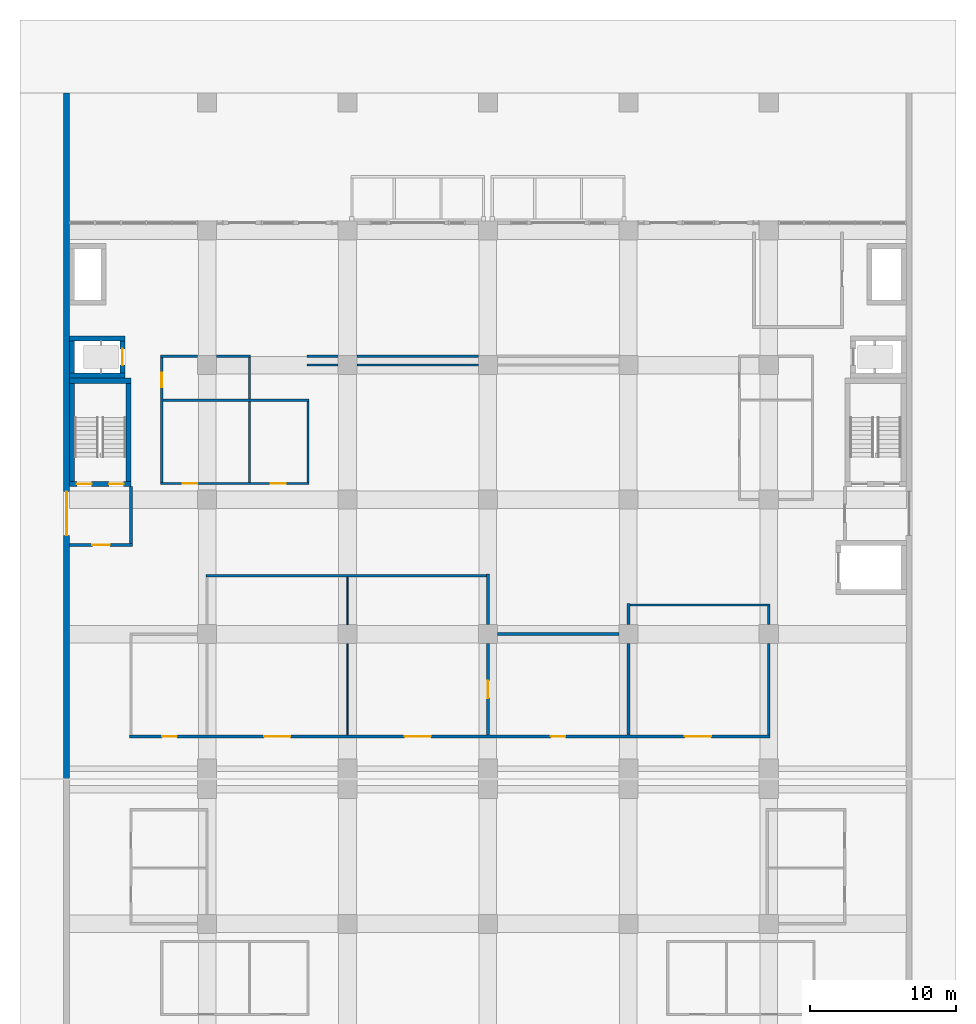
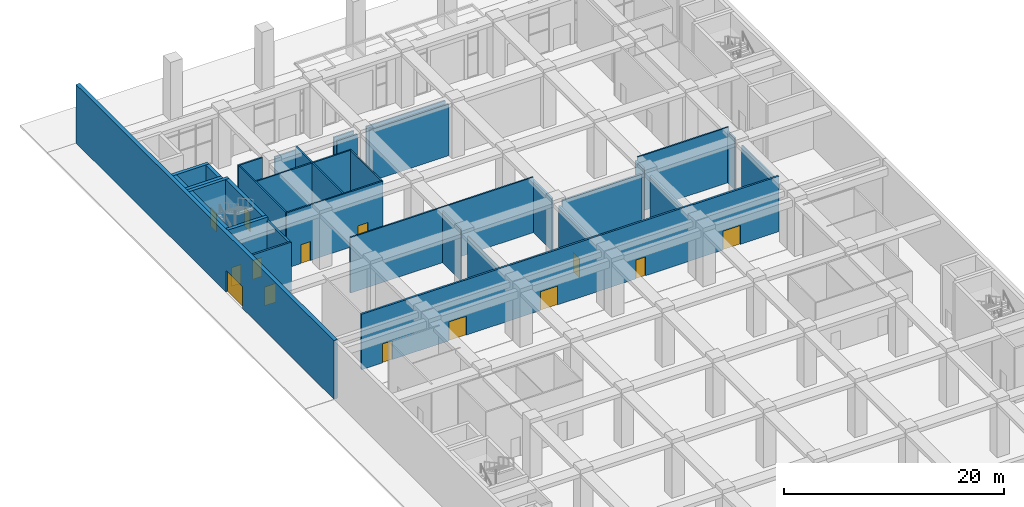
# One storey, part 21 of 45: 35 walls, 14 doors, 14 openings.
"""IFC4 building model written with IfcOpenShell, lengths in metres."""

from ifc_helpers import new_model, si_unit, direction, frame, frame_2d, origin, place, context, subcontext, project, spatial, rectangle, extrude, material, layer, layer_set, type_object, element, fill, save


model = new_model("IFC4")

# Units and contexts
model_context = context("Model", 3, precision=1e-05, world=origin(), true_north=direction((0.0, 1.0)))
body_context = subcontext(model_context, "Body", "Model", "MODEL_VIEW")
ifc_project = project(units=[si_unit("LENGTHUNIT", "METRE"), si_unit("AREAUNIT", "SQUARE_METRE"), si_unit("VOLUMEUNIT", "CUBIC_METRE"), si_unit("PLANEANGLEUNIT", "RADIAN"), si_unit("MASSUNIT", "GRAM", prefix="KILO")], contexts=[model_context])

# Site, building, storey
site_placement = place(None, origin())
site = spatial("IfcSite", under=ifc_project, at=site_placement, CompositionType="ELEMENT")
building_placement = place(site_placement, origin())
building = spatial("IfcBuilding", under=site, at=building_placement, Name="Nzadi Deep Aquarium and Research Tower", CompositionType="ELEMENT")
storey_placement = place(building_placement, origin())
storey = spatial("IfcBuildingStorey", under=building, at=storey_placement, Name="G", CompositionType="ELEMENT", Elevation=0.0)

# Walls
ifc_material_1 = material(Name="Blockwork masonry", Category="masonry")
ifc_layer_1 = layer(ifc_material_1, 0.10009765625)
ifc_layer_set_1 = layer_set([ifc_layer_1], Name="Blockwork masonry")
wall_type_1 = type_object("IfcWallType", Name="Partition 100 EI 30, 5.75 m high", PredefinedType="PARTITIONING", material=ifc_layer_set_1)
wall_1_placement = place(storey_placement, frame((19.199951171875, 97.10009765625, 0.0), z_axis=(0.0, 0.0, 1.0), x_axis=(0.0, 1.0, 0.0)))
element("IfcWall", 1, at=wall_1_placement, inside=storey, type_object=wall_type_1, Name="W-Z3-G-P019", PredefinedType="PARTITIONING", context=body_context, shape_type="SweptSolid", body=[
    extrude(rectangle(XDim=6.25, YDim=0.10009765625, at=frame_2d((3.125, 0.0))), origin(), (0.0, 0.0, 1.0), 5.75),
])
wall_2_placement = place(storey_placement, frame((19.199951171875, 104.64990234375, 0.0), z_axis=(0.0, 0.0, 1.0), x_axis=(0.0, 1.0, 0.0)))
element("IfcWall", 2, at=wall_2_placement, inside=storey, type_object=wall_type_1, Name="W-Z3-G-P020", PredefinedType="PARTITIONING", context=body_context, shape_type="SweptSolid", body=[
    extrude(rectangle(XDim=3.275146484375, YDim=0.10009765625, at=frame_2d((1.6376953125, 0.0))), origin(), (0.0, 0.0, 1.0), 5.75),
])

# Wall, openings, doors
ifc_material_2 = material(Name="Blockwork masonry", Category="masonry")
ifc_layer_2 = layer(ifc_material_2, 0.14990234375)
ifc_layer_set_2 = layer_set([ifc_layer_2], Name="Blockwork masonry")
wall_type_2 = type_object("IfcWallType", Name="Partition 150 EI 60", PredefinedType="PARTITIONING", material=ifc_layer_set_2)
wall_3_placement = place(storey_placement, frame((6.425048828125, 114.300048828125, 0.0), z_axis=(0.0, 0.0, 1.0), x_axis=(1.0, 0.0, 0.0)))
wall_3 = element("IfcWall", 3, at=wall_3_placement, inside=storey, type_object=wall_type_2, Name="W-Z3-G-P006", PredefinedType="PARTITIONING", context=body_context, shape_type="SweptSolid", body=[
    extrude(rectangle(XDim=10.14990234375, YDim=0.14990234375, at=frame_2d((5.074951171875, 0.0))), origin(), (0.0, 0.0, 1.0), 6.14990234375),
])
opening_1_placement = place(wall_3_placement, frame((1.510009765625, 0.0, 0.0)))
opening_1 = element("IfcOpeningElement", 4, at=opening_1_placement, cuts=wall_3, Name="Opening D013007", PredefinedType="OPENING", context=body_context, shape_type="SweptSolid", body=[
    extrude(rectangle(XDim=1.0, YDim=2.10009765625, at=frame_2d((0.5, 1.050048828125))), frame((0.0, 0.0849609375, 0.0), z_axis=(0.0, -1.0, 0.0), x_axis=(1.0, 0.0, 0.0)), (0.0, 0.0, 1.0), 0.169921875),
])
opening_2_placement = place(wall_3_placement, frame((7.5400390625, 0.0, 0.0)))
opening_2 = element("IfcOpeningElement", 5, at=opening_2_placement, cuts=wall_3, Name="Opening D013008", PredefinedType="OPENING", context=body_context, shape_type="SweptSolid", body=[
    extrude(rectangle(XDim=1.0, YDim=2.10009765625, at=frame_2d((0.5, 1.050048828125))), frame((0.0, 0.0849609375, 0.0), z_axis=(0.0, -1.0, 0.0), x_axis=(1.0, 0.0, 0.0)), (0.0, 0.0, 1.0), 0.169921875),
])
ifc_material_3 = material(Name="Fire-rated steel door", Category="steel")
ifc_layer_3 = layer(ifc_material_3, 0.050048828125)
ifc_layer_set_3 = layer_set([ifc_layer_3], Name="Fire-rated steel door")
door_type_1 = type_object("IfcDoorType", Name="Door 1000x2100 EI 60 single", OperationType="SINGLE_SWING_LEFT", PredefinedType="DOOR", material=ifc_layer_set_3)
door_1_placement = place(opening_1_placement, origin())
door_1 = element("IfcDoor", 6, at=door_1_placement, inside=storey, type_object=door_type_1, Name="D013007", OperationType="SINGLE_SWING_LEFT", OverallHeight=2.10009765625, OverallWidth=1.0, PredefinedType="DOOR", context=body_context, shape_type="SweptSolid", body=[
    extrude(rectangle(XDim=1.0, YDim=2.10009765625, at=frame_2d((0.5, 1.050048828125))), frame((0.0, 0.02490234375, 0.0), z_axis=(0.0, -1.0, 0.0), x_axis=(1.0, 0.0, 0.0)), (0.0, 0.0, 1.0), 0.050048828125),
])
fill(opening_1, door_1)
door_2_placement = place(opening_2_placement, origin())
door_2 = element("IfcDoor", 7, at=door_2_placement, inside=storey, type_object=door_type_1, Name="D013008", OperationType="SINGLE_SWING_RIGHT", OverallHeight=2.10009765625, OverallWidth=1.0, PredefinedType="DOOR", context=body_context, shape_type="SweptSolid", body=[
    extrude(rectangle(XDim=1.0, YDim=2.10009765625, at=frame_2d((0.5, 1.050048828125))), frame((0.0, 0.02490234375, 0.0), z_axis=(0.0, -1.0, 0.0), x_axis=(1.0, 0.0, 0.0)), (0.0, 0.0, 1.0), 0.050048828125),
])
fill(opening_2, door_2)

# Wall, opening, door
wall_4_placement = place(storey_placement, frame((6.5, 114.375, 0.0), z_axis=(0.0, 0.0, 1.0), x_axis=(0.0, 1.0, 0.0)))
wall_4 = element("IfcWall", 8, at=wall_4_placement, inside=storey, type_object=wall_type_2, Name="W-Z3-G-P007", PredefinedType="PARTITIONING", context=body_context, shape_type="SweptSolid", body=[
    extrude(rectangle(XDim=8.550048828125, YDim=0.14990234375, at=frame_2d((4.27490234375, 0.0))), origin(), (0.0, 0.0, 1.0), 6.14990234375),
])
opening_3_placement = place(wall_4_placement, frame((6.514892578125, 0.0, 0.0)))
opening_3 = element("IfcOpeningElement", 9, at=opening_3_placement, cuts=wall_4, Name="Opening D013010", PredefinedType="OPENING", context=body_context, shape_type="SweptSolid", body=[
    extrude(rectangle(XDim=1.0, YDim=2.10009765625, at=frame_2d((0.5, 1.050048828125))), frame((0.0, 0.0849609375, 0.0), z_axis=(0.0, -1.0, 0.0), x_axis=(1.0, 0.0, 0.0)), (0.0, 0.0, 1.0), 0.169921875),
])
door_3_placement = place(opening_3_placement, origin())
door_3 = element("IfcDoor", 10, at=door_3_placement, inside=storey, type_object=door_type_1, Name="D013010", OperationType="SINGLE_SWING_LEFT", OverallHeight=2.10009765625, OverallWidth=1.0, PredefinedType="DOOR", context=body_context, shape_type="SweptSolid", body=[
    extrude(rectangle(XDim=1.0, YDim=2.10009765625, at=frame_2d((0.5, 1.050048828125))), frame((0.0, 0.02490234375, 0.0), z_axis=(0.0, -1.0, 0.0), x_axis=(1.0, 0.0, 0.0)), (0.0, 0.0, 1.0), 0.050048828125),
])
fill(opening_3, door_3)

# Walls
wall_5_placement = place(storey_placement, frame((6.425048828125, 123.0, 0.0), z_axis=(0.0, 0.0, 1.0), x_axis=(1.0, 0.0, 0.0)))
element("IfcWall", 11, at=wall_5_placement, inside=storey, type_object=wall_type_2, Name="W-Z3-G-P008", PredefinedType="PARTITIONING", context=body_context, shape_type="SweptSolid", body=[
    extrude(rectangle(XDim=2.52490234375, YDim=0.14990234375, at=frame_2d((1.262451171875, 0.0))), origin(), (0.0, 0.0, 1.0), 6.14990234375),
])
wall_6_placement = place(storey_placement, frame((6.574951171875, 120.0, 0.0), z_axis=(0.0, 0.0, 1.0), x_axis=(1.0, 0.0, 0.0)))
element("IfcWall", 12, at=wall_6_placement, inside=storey, type_object=wall_type_2, Name="W-Z3-G-P009", PredefinedType="PARTITIONING", context=body_context, shape_type="SweptSolid", body=[
    extrude(rectangle(XDim=10.0, YDim=0.14990234375, at=frame_2d((5.0, 0.0))), origin(), (0.0, 0.0, 1.0), 6.14990234375),
])
wall_7_placement = place(storey_placement, frame((9.52490234375, 108.0, 0.0), z_axis=(0.0, 0.0, 1.0), x_axis=(1.0, 0.0, 0.0)))
element("IfcWall", 13, at=wall_7_placement, inside=storey, type_object=wall_type_2, Name="W-Z3-G-P012", PredefinedType="PARTITIONING", context=body_context, shape_type="SweptSolid", body=[
    extrude(rectangle(XDim=19.175048828125, YDim=0.14990234375, at=frame_2d((9.58740234375, 0.0))), origin(), (0.0, 0.0, 1.0), 6.14990234375),
])
wall_8_placement = place(storey_placement, frame((12.5, 114.375, 0.0), z_axis=(0.0, 0.0, 1.0), x_axis=(0.0, 1.0, 0.0)))
element("IfcWall", 14, at=wall_8_placement, inside=storey, type_object=wall_type_2, Name="W-Z3-G-P014", PredefinedType="PARTITIONING", context=body_context, shape_type="SweptSolid", body=[
    extrude(rectangle(XDim=5.550048828125, YDim=0.14990234375, at=frame_2d((2.77490234375, 0.0))), origin(), (0.0, 0.0, 1.0), 6.14990234375),
])
wall_9_placement = place(storey_placement, frame((12.5, 120.074951171875, 0.0), z_axis=(0.0, 0.0, 1.0), x_axis=(0.0, 1.0, 0.0)))
element("IfcWall", 15, at=wall_9_placement, inside=storey, type_object=wall_type_2, Name="W-Z3-G-P015", PredefinedType="PARTITIONING", context=body_context, shape_type="SweptSolid", body=[
    extrude(rectangle(XDim=2.85009765625, YDim=0.14990234375, at=frame_2d((1.425048828125, 0.0))), origin(), (0.0, 0.0, 1.0), 6.14990234375),
])
wall_10_placement = place(storey_placement, frame((16.5, 114.375, 0.0), z_axis=(0.0, 0.0, 1.0), x_axis=(0.0, 1.0, 0.0)))
element("IfcWall", 16, at=wall_10_placement, inside=storey, type_object=wall_type_2, Name="W-Z3-G-P016", PredefinedType="PARTITIONING", context=body_context, shape_type="SweptSolid", body=[
    extrude(rectangle(XDim=5.550048828125, YDim=0.14990234375, at=frame_2d((2.77490234375, 0.0))), origin(), (0.0, 0.0, 1.0), 6.14990234375),
])
wall_11_placement = place(storey_placement, frame((38.5, 106.0, 0.0), z_axis=(0.0, 0.0, 1.0), x_axis=(1.0, 0.0, 0.0)))
element("IfcWall", 17, at=wall_11_placement, inside=storey, type_object=wall_type_2, Name="W-Z3-G-P030", PredefinedType="PARTITIONING", context=body_context, shape_type="SweptSolid", body=[
    extrude(rectangle(XDim=9.574951171875, YDim=0.14990234375, at=frame_2d((4.78759765625, 0.0))), origin(), (0.0, 0.0, 1.0), 6.14990234375),
])
ifc_material_4 = material(Name="Blockwork masonry", Category="masonry")
ifc_layer_4 = layer(ifc_material_4, 0.14990234375)
ifc_layer_set_4 = layer_set([ifc_layer_4], Name="Blockwork masonry")
wall_type_3 = type_object("IfcWallType", Name="Partition 150 EI 60, 5.75 m high", PredefinedType="PARTITIONING", material=ifc_layer_set_4)
wall_12_placement = place(storey_placement, frame((10.25, 123.0, 0.0), z_axis=(0.0, 0.0, 1.0), x_axis=(1.0, 0.0, 0.0)))
element("IfcWall", 18, at=wall_12_placement, inside=storey, type_object=wall_type_3, Name="W-Z3-G-P013", PredefinedType="PARTITIONING", context=body_context, shape_type="SweptSolid", body=[
    extrude(rectangle(XDim=2.324951171875, YDim=0.14990234375, at=frame_2d((1.16259765625, 0.0))), origin(), (0.0, 0.0, 1.0), 5.75),
])
for number, where, z_axis, x_axis, name in (
    (19, (16.425048828125, 122.39990234375, 0.0), (0.0, 0.0, 1.0), (1.0, 0.0, 0.0), "W-Z3-G-P017"),
    (20, (16.425048828125, 123.0, 0.0), (0.0, 0.0, 1.0), (1.0, 0.0, 0.0), "W-Z3-G-P018"),
):
    element("IfcWall", number, at=place(storey_placement, frame(where, z_axis=z_axis, x_axis=x_axis)), inside=storey, type_object=wall_type_3, Name=name, PredefinedType="PARTITIONING", context=body_context, shape_type="SweptSolid", body=[
        extrude(rectangle(XDim=2.125, YDim=0.14990234375, at=frame_2d((1.0625, 0.0))), origin(), (0.0, 0.0, 1.0), 5.75),
    ])
for number, where, z_axis, x_axis, name in (
    (21, (19.85009765625, 122.39990234375, 0.0), (0.0, 0.0, 1.0), (1.0, 0.0, 0.0), "W-Z3-G-P021"),
    (22, (19.85009765625, 123.0, 0.0), (0.0, 0.0, 1.0), (1.0, 0.0, 0.0), "W-Z3-G-P022"),
):
    element("IfcWall", number, at=place(storey_placement, frame(where, z_axis=z_axis, x_axis=x_axis)), inside=storey, type_object=wall_type_3, Name=name, PredefinedType="PARTITIONING", context=body_context, shape_type="SweptSolid", body=[
        extrude(rectangle(XDim=8.2998046875, YDim=0.14990234375, at=frame_2d((4.14990234375, 0.0))), origin(), (0.0, 0.0, 1.0), 5.75),
    ])
wall_13_placement = place(storey_placement, frame((48.0, 97.10009765625, 0.0), z_axis=(0.0, 0.0, 1.0), x_axis=(0.0, 1.0, 0.0)))
element("IfcWall", 23, at=wall_13_placement, inside=storey, type_object=wall_type_3, Name="W-Z3-G-P037", PredefinedType="PARTITIONING", context=body_context, shape_type="SweptSolid", body=[
    extrude(rectangle(XDim=6.25, YDim=0.14990234375, at=frame_2d((3.125, 0.0))), origin(), (0.0, 0.0, 1.0), 5.75),
])
wall_14_placement = place(storey_placement, frame((48.0, 104.64990234375, 0.0), z_axis=(0.0, 0.0, 1.0), x_axis=(0.0, 1.0, 0.0)))
element("IfcWall", 24, at=wall_14_placement, inside=storey, type_object=wall_type_3, Name="W-Z3-G-P038", PredefinedType="PARTITIONING", context=body_context, shape_type="SweptSolid", body=[
    extrude(rectangle(XDim=1.275146484375, YDim=0.14990234375, at=frame_2d((0.6376953125, 0.0))), origin(), (0.0, 0.0, 1.0), 5.75),
])

# Wall, opening, door
ifc_material_5 = material(Name="Blockwork masonry", Category="masonry")
ifc_layer_5 = layer(ifc_material_5, 0.199951171875)
ifc_layer_set_5 = layer_set([ifc_layer_5], Name="Blockwork masonry")
wall_type_4 = type_object("IfcWallType", Name="Partition 200 EI 120", PredefinedType="PARTITIONING", material=ifc_layer_set_5)
wall_15_placement = place(storey_placement, frame((0.2060546875, 110.10009765625, 0.0), z_axis=(0.0, 0.0, 1.0), x_axis=(1.0, 0.0, 0.0)))
wall_15 = element("IfcWall", 25, at=wall_15_placement, inside=storey, type_object=wall_type_4, Name="W-Z3-G-P001", PredefinedType="PARTITIONING", context=body_context, shape_type="SweptSolid", body=[
    extrude(rectangle(XDim=4.2939453125, YDim=0.199951171875, at=frame_2d((2.14697265625, 0.0))), origin(), (0.0, 0.0, 1.0), 6.14990234375),
])
opening_4_placement = place(wall_15_placement, frame((1.547119140625, 0.0, 0.0)))
opening_4 = element("IfcOpeningElement", 26, at=opening_4_placement, cuts=wall_15, Name="Opening D013013", PredefinedType="OPENING", context=body_context, shape_type="SweptSolid", body=[
    extrude(rectangle(XDim=1.199951171875, YDim=2.10009765625, at=frame_2d((0.60009765625, 1.050048828125))), frame((0.0, 0.110107421875, 0.0), z_axis=(0.0, -1.0, 0.0), x_axis=(1.0, 0.0, 0.0)), (0.0, 0.0, 1.0), 0.22021484375),
])
ifc_material_6 = material(Name="Fire-rated steel door", Category="steel")
ifc_layer_6 = layer(ifc_material_6, 0.050048828125)
ifc_layer_set_6 = layer_set([ifc_layer_6], Name="Fire-rated steel door")
door_type_2 = type_object("IfcDoorType", Name="Door 1200x2100 EI 120 single", OperationType="SINGLE_SWING_LEFT", PredefinedType="DOOR", material=ifc_layer_set_6)
door_4_placement = place(opening_4_placement, origin())
door_4 = element("IfcDoor", 27, at=door_4_placement, inside=storey, type_object=door_type_2, Name="D013013", OperationType="SINGLE_SWING_RIGHT", OverallHeight=2.10009765625, OverallWidth=1.199951171875, PredefinedType="DOOR", context=body_context, shape_type="SweptSolid", body=[
    extrude(rectangle(XDim=1.199951171875, YDim=2.10009765625, at=frame_2d((0.60009765625, 1.050048828125))), frame((0.0, 0.02490234375, 0.0), z_axis=(0.0, -1.0, 0.0), x_axis=(1.0, 0.0, 0.0)), (0.0, 0.0, 1.0), 0.050048828125),
])
fill(opening_4, door_4)

# Wall, openings, doors
wall_16_placement = place(storey_placement, frame((4.300048828125, 97.0, 0.0), z_axis=(0.0, 0.0, 1.0), x_axis=(1.0, 0.0, 0.0)))
wall_16 = element("IfcWall", 28, at=wall_16_placement, inside=storey, type_object=wall_type_4, Name="W-Z3-G-P002", PredefinedType="PARTITIONING", context=body_context, shape_type="SweptSolid", body=[
    extrude(rectangle(XDim=43.800048828125, YDim=0.199951171875, at=frame_2d((21.89990234375, 0.0))), origin(), (0.0, 0.0, 1.0), 6.14990234375),
])
opening_5_placement = place(wall_16_placement, frame((28.800048828125, 0.0, 0.0)))
opening_5 = element("IfcOpeningElement", 29, at=opening_5_placement, cuts=wall_16, Name="Opening D013002", PredefinedType="OPENING", context=body_context, shape_type="SweptSolid", body=[
    extrude(rectangle(XDim=1.0, YDim=2.10009765625, at=frame_2d((0.5, 1.050048828125))), frame((0.0, 0.110107421875, 0.0), z_axis=(0.0, -1.0, 0.0), x_axis=(1.0, 0.0, 0.0)), (0.0, 0.0, 1.0), 0.22021484375),
])
opening_6_placement = place(wall_16_placement, frame((2.235107421875, 0.0, 0.0)))
opening_6 = element("IfcOpeningElement", 30, at=opening_6_placement, cuts=wall_16, Name="Opening D013003", PredefinedType="OPENING", context=body_context, shape_type="SweptSolid", body=[
    extrude(rectangle(XDim=1.0, YDim=2.10009765625, at=frame_2d((0.5, 1.050048828125))), frame((0.0, 0.110107421875, 0.0), z_axis=(0.0, -1.0, 0.0), x_axis=(1.0, 0.0, 0.0)), (0.0, 0.0, 1.0), 0.22021484375),
])
opening_7_placement = place(wall_16_placement, frame((9.199951171875, 0.0, 0.0)))
opening_7 = element("IfcOpeningElement", 31, at=opening_7_placement, cuts=wall_16, Name="Opening D013004", PredefinedType="OPENING", context=body_context, shape_type="SweptSolid", body=[
    extrude(rectangle(XDim=1.800048828125, YDim=2.10009765625, at=frame_2d((0.89990234375, 1.050048828125))), frame((0.0, 0.110107421875, 0.0), z_axis=(0.0, -1.0, 0.0), x_axis=(1.0, 0.0, 0.0)), (0.0, 0.0, 1.0), 0.22021484375),
])
opening_8_placement = place(wall_16_placement, frame((18.800048828125, 0.0, 0.0)))
opening_8 = element("IfcOpeningElement", 32, at=opening_8_placement, cuts=wall_16, Name="Opening D013005", PredefinedType="OPENING", context=body_context, shape_type="SweptSolid", body=[
    extrude(rectangle(XDim=1.800048828125, YDim=2.10009765625, at=frame_2d((0.89990234375, 1.050048828125))), frame((0.0, 0.110107421875, 0.0), z_axis=(0.0, -1.0, 0.0), x_axis=(1.0, 0.0, 0.0)), (0.0, 0.0, 1.0), 0.22021484375),
])
opening_9_placement = place(wall_16_placement, frame((37.965087890625, 0.0, 0.0)))
opening_9 = element("IfcOpeningElement", 33, at=opening_9_placement, cuts=wall_16, Name="Opening D013006", PredefinedType="OPENING", context=body_context, shape_type="SweptSolid", body=[
    extrude(rectangle(XDim=1.800048828125, YDim=2.10009765625, at=frame_2d((0.89990234375, 1.050048828125))), frame((0.0, 0.110107421875, 0.0), z_axis=(0.0, -1.0, 0.0), x_axis=(1.0, 0.0, 0.0)), (0.0, 0.0, 1.0), 0.22021484375),
])
ifc_material_7 = material(Name="Fire-rated steel door", Category="steel")
ifc_layer_7 = layer(ifc_material_7, 0.050048828125)
ifc_layer_set_7 = layer_set([ifc_layer_7], Name="Fire-rated steel door")
door_type_3 = type_object("IfcDoorType", Name="Door 1000x2100 EI 120 single", OperationType="SINGLE_SWING_LEFT", PredefinedType="DOOR", material=ifc_layer_set_7)
door_5_placement = place(opening_5_placement, origin())
door_5 = element("IfcDoor", 34, at=door_5_placement, inside=storey, type_object=door_type_3, Name="D013002", OperationType="SINGLE_SWING_RIGHT", OverallHeight=2.10009765625, OverallWidth=1.0, PredefinedType="DOOR", context=body_context, shape_type="SweptSolid", body=[
    extrude(rectangle(XDim=1.0, YDim=2.10009765625, at=frame_2d((0.5, 1.050048828125))), frame((0.0, 0.02490234375, 0.0), z_axis=(0.0, -1.0, 0.0), x_axis=(1.0, 0.0, 0.0)), (0.0, 0.0, 1.0), 0.050048828125),
])
fill(opening_5, door_5)
door_6_placement = place(opening_6_placement, origin())
door_6 = element("IfcDoor", 35, at=door_6_placement, inside=storey, type_object=door_type_3, Name="D013003", OperationType="SINGLE_SWING_LEFT", OverallHeight=2.10009765625, OverallWidth=1.0, PredefinedType="DOOR", context=body_context, shape_type="SweptSolid", body=[
    extrude(rectangle(XDim=1.0, YDim=2.10009765625, at=frame_2d((0.5, 1.050048828125))), frame((0.0, 0.02490234375, 0.0), z_axis=(0.0, -1.0, 0.0), x_axis=(1.0, 0.0, 0.0)), (0.0, 0.0, 1.0), 0.050048828125),
])
fill(opening_6, door_6)
ifc_material_8 = material(Name="Fire-rated steel door", Category="steel")
ifc_layer_8 = layer(ifc_material_8, 0.050048828125)
ifc_layer_set_8 = layer_set([ifc_layer_8], Name="Fire-rated steel door")
door_type_4 = type_object("IfcDoorType", Name="Door 1800x2100 EI 120 double", OperationType="DOUBLE_DOOR_SINGLE_SWING", PredefinedType="DOOR", material=ifc_layer_set_8)
door_7_placement = place(opening_7_placement, origin())
door_7 = element("IfcDoor", 36, at=door_7_placement, inside=storey, type_object=door_type_4, Name="D013004", OperationType="DOUBLE_DOOR_SINGLE_SWING", OverallHeight=2.10009765625, OverallWidth=1.800048828125, PredefinedType="DOOR", context=body_context, shape_type="SweptSolid", body=[
    extrude(rectangle(XDim=1.800048828125, YDim=2.10009765625, at=frame_2d((0.89990234375, 1.050048828125))), frame((0.0, 0.02490234375, 0.0), z_axis=(0.0, -1.0, 0.0), x_axis=(1.0, 0.0, 0.0)), (0.0, 0.0, 1.0), 0.050048828125),
])
fill(opening_7, door_7)
door_8_placement = place(opening_8_placement, origin())
door_8 = element("IfcDoor", 37, at=door_8_placement, inside=storey, type_object=door_type_4, Name="D013005", OperationType="DOUBLE_DOOR_SINGLE_SWING", OverallHeight=2.10009765625, OverallWidth=1.800048828125, PredefinedType="DOOR", context=body_context, shape_type="SweptSolid", body=[
    extrude(rectangle(XDim=1.800048828125, YDim=2.10009765625, at=frame_2d((0.89990234375, 1.050048828125))), frame((0.0, 0.02490234375, 0.0), z_axis=(0.0, -1.0, 0.0), x_axis=(1.0, 0.0, 0.0)), (0.0, 0.0, 1.0), 0.050048828125),
])
fill(opening_8, door_8)
door_9_placement = place(opening_9_placement, origin())
door_9 = element("IfcDoor", 38, at=door_9_placement, inside=storey, type_object=door_type_4, Name="D013006", OperationType="DOUBLE_DOOR_SINGLE_SWING", OverallHeight=2.10009765625, OverallWidth=1.800048828125, PredefinedType="DOOR", context=body_context, shape_type="SweptSolid", body=[
    extrude(rectangle(XDim=1.800048828125, YDim=2.10009765625, at=frame_2d((0.89990234375, 1.050048828125))), frame((0.0, 0.02490234375, 0.0), z_axis=(0.0, -1.0, 0.0), x_axis=(1.0, 0.0, 0.0)), (0.0, 0.0, 1.0), 0.050048828125),
])
fill(opening_9, door_9)

# Wall
wall_17_placement = place(storey_placement, frame((4.39990234375, 110.199951171875, 0.0), z_axis=(0.0, 0.0, 1.0), x_axis=(0.0, 1.0, 0.0)))
element("IfcWall", 39, at=wall_17_placement, inside=storey, type_object=wall_type_4, Name="W-Z3-G-P003", PredefinedType="PARTITIONING", context=body_context, shape_type="SweptSolid", body=[
    extrude(rectangle(XDim=3.89404296875, YDim=0.199951171875, at=frame_2d((1.947021484375, 0.0))), origin(), (0.0, 0.0, 1.0), 6.14990234375),
])

# Wall, opening, door
ifc_material_9 = material(Name="Blockwork masonry", Category="masonry")
ifc_layer_9 = layer(ifc_material_9, 0.199951171875)
ifc_layer_set_9 = layer_set([ifc_layer_9], Name="Blockwork masonry")
wall_type_5 = type_object("IfcWallType", Name="Partition 200 EI 120, 5.75 m high", PredefinedType="PARTITIONING", material=ifc_layer_set_9)
wall_18_placement = place(storey_placement, frame((28.800048828125, 97.10009765625, 0.0), z_axis=(0.0, 0.0, 1.0), x_axis=(0.0, 1.0, 0.0)))
wall_18 = element("IfcWall", 40, at=wall_18_placement, inside=storey, type_object=wall_type_5, Name="W-Z3-G-P023", PredefinedType="PARTITIONING", context=body_context, shape_type="SweptSolid", body=[
    extrude(rectangle(XDim=6.25, YDim=0.199951171875, at=frame_2d((3.125, 0.0))), origin(), (0.0, 0.0, 1.0), 5.75),
])
opening_10_placement = place(wall_18_placement, frame((2.52490234375, 0.0, 0.0)))
opening_10 = element("IfcOpeningElement", 41, at=opening_10_placement, cuts=wall_18, Name="Opening D013001", PredefinedType="OPENING", context=body_context, shape_type="SweptSolid", body=[
    extrude(rectangle(XDim=1.199951171875, YDim=2.10009765625, at=frame_2d((0.60009765625, 1.050048828125))), frame((0.0, 0.110107421875, 0.0), z_axis=(0.0, -1.0, 0.0), x_axis=(1.0, 0.0, 0.0)), (0.0, 0.0, 1.0), 0.22021484375),
])
door_10_placement = place(opening_10_placement, origin())
door_10 = element("IfcDoor", 42, at=door_10_placement, inside=storey, type_object=door_type_2, Name="D013001", OperationType="SINGLE_SWING_RIGHT", OverallHeight=2.10009765625, OverallWidth=1.199951171875, PredefinedType="DOOR", context=body_context, shape_type="SweptSolid", body=[
    extrude(rectangle(XDim=1.199951171875, YDim=2.10009765625, at=frame_2d((0.60009765625, 1.050048828125))), frame((0.0, 0.02490234375, 0.0), z_axis=(0.0, -1.0, 0.0), x_axis=(1.0, 0.0, 0.0)), (0.0, 0.0, 1.0), 0.050048828125),
])
fill(opening_10, door_10)

# Walls
wall_19_placement = place(storey_placement, frame((28.800048828125, 104.64990234375, 0.0), z_axis=(0.0, 0.0, 1.0), x_axis=(0.0, 1.0, 0.0)))
element("IfcWall", 43, at=wall_19_placement, inside=storey, type_object=wall_type_5, Name="W-Z3-G-P024", PredefinedType="PARTITIONING", context=body_context, shape_type="SweptSolid", body=[
    extrude(rectangle(XDim=3.4501953125, YDim=0.199951171875, at=frame_2d((1.72509765625, 0.0))), origin(), (0.0, 0.0, 1.0), 5.75),
])
wall_20_placement = place(storey_placement, frame((29.449951171875, 104.0, 0.0), z_axis=(0.0, 0.0, 1.0), x_axis=(1.0, 0.0, 0.0)))
element("IfcWall", 44, at=wall_20_placement, inside=storey, type_object=wall_type_5, Name="W-Z3-G-P025", PredefinedType="PARTITIONING", context=body_context, shape_type="SweptSolid", body=[
    extrude(rectangle(XDim=8.300048828125, YDim=0.199951171875, at=frame_2d((4.14990234375, 0.0))), origin(), (0.0, 0.0, 1.0), 5.75),
])
wall_21_placement = place(storey_placement, frame((38.39990234375, 97.10009765625, 0.0), z_axis=(0.0, 0.0, 1.0), x_axis=(0.0, 1.0, 0.0)))
element("IfcWall", 45, at=wall_21_placement, inside=storey, type_object=wall_type_5, Name="W-Z3-G-P028", PredefinedType="PARTITIONING", context=body_context, shape_type="SweptSolid", body=[
    extrude(rectangle(XDim=6.25, YDim=0.199951171875, at=frame_2d((3.125, 0.0))), origin(), (0.0, 0.0, 1.0), 5.75),
])
wall_22_placement = place(storey_placement, frame((38.39990234375, 104.64990234375, 0.0), z_axis=(0.0, 0.0, 1.0), x_axis=(0.0, 1.0, 0.0)))
element("IfcWall", 46, at=wall_22_placement, inside=storey, type_object=wall_type_5, Name="W-Z3-G-P029", PredefinedType="PARTITIONING", context=body_context, shape_type="SweptSolid", body=[
    extrude(rectangle(XDim=1.4501953125, YDim=0.199951171875, at=frame_2d((0.72509765625, 0.0))), origin(), (0.0, 0.0, 1.0), 5.75),
])

# Wall, openings, doors
ifc_material_10 = material(Name="Concrete C35/45", Category="concrete")
ifc_layer_10 = layer(ifc_material_10, 0.35009765625)
ifc_layer_set_10 = layer_set([ifc_layer_10], Name="Concrete C35/45")
wall_type_6 = type_object("IfcWallType", Name="RC core wall 350, 5.50 to 6.50 m high", PredefinedType="SHEAR", material=ifc_layer_set_10)
wall_23_placement = place(storey_placement, frame((0.199951171875, 114.27490234375, 0.0), z_axis=(0.0, 0.0, 1.0), x_axis=(1.0, 0.0, 0.0)))
wall_23 = element("IfcWall", 47, at=wall_23_placement, inside=storey, type_object=wall_type_6, Name="W-CORE-ST-Z3-W-G-S", PredefinedType="SHEAR", context=body_context, shape_type="SweptSolid", body=[
    extrude(rectangle(XDim=4.199951171875, YDim=0.35009765625, at=frame_2d((2.10009765625, 0.0))), origin(), (0.0, 0.0, 1.0), 6.5),
])
opening_11_placement = place(wall_23_placement, frame((0.5, 0.0, 0.0)))
opening_11 = element("IfcOpeningElement", 48, at=opening_11_placement, cuts=wall_23, Name="Opening DS-Z3-W-GA", PredefinedType="OPENING", context=body_context, shape_type="SweptSolid", body=[
    extrude(rectangle(XDim=1.0, YDim=2.10009765625, at=frame_2d((0.5, 1.050048828125))), frame((0.0, 0.18505859375, 0.0), z_axis=(0.0, -1.0, 0.0), x_axis=(1.0, 0.0, 0.0)), (0.0, 0.0, 1.0), 0.3701171875),
])
opening_12_placement = place(wall_23_placement, frame((2.699951171875, 0.0, 0.0)))
opening_12 = element("IfcOpeningElement", 49, at=opening_12_placement, cuts=wall_23, Name="Opening DS-Z3-W-GB", PredefinedType="OPENING", context=body_context, shape_type="SweptSolid", body=[
    extrude(rectangle(XDim=1.0, YDim=2.10009765625, at=frame_2d((0.5, 1.050048828125))), frame((0.0, 0.18505859375, 0.0), z_axis=(0.0, -1.0, 0.0), x_axis=(1.0, 0.0, 0.0)), (0.0, 0.0, 1.0), 0.3701171875),
])
ifc_material_11 = material(Name="Steel, powder coated", Category="steel")
door_type_5 = type_object("IfcDoorType", Name="STAIR DOOR 1000x2100 EI 60", OperationType="SINGLE_SWING_LEFT", PredefinedType="DOOR", material=ifc_material_11)
door_11_placement = place(opening_11_placement, origin())
door_11 = element("IfcDoor", 50, at=door_11_placement, inside=storey, type_object=door_type_5, Name="Stair door ST-Z3-W G A", OperationType="SINGLE_SWING_LEFT", OverallHeight=2.10009765625, OverallWidth=1.0, PredefinedType="DOOR", context=body_context, shape_type="SweptSolid", body=[
    extrude(rectangle(XDim=1.0, YDim=2.10009765625, at=frame_2d((0.5, 1.050048828125))), frame((0.0, 0.02490234375, 0.0), z_axis=(0.0, -1.0, 0.0), x_axis=(1.0, 0.0, 0.0)), (0.0, 0.0, 1.0), 0.050048828125),
])
fill(opening_11, door_11)
door_12_placement = place(opening_12_placement, origin())
door_12 = element("IfcDoor", 51, at=door_12_placement, inside=storey, type_object=door_type_5, Name="Stair door ST-Z3-W G B", OperationType="SINGLE_SWING_RIGHT", OverallHeight=2.10009765625, OverallWidth=1.0, PredefinedType="DOOR", context=body_context, shape_type="SweptSolid", body=[
    extrude(rectangle(XDim=1.0, YDim=2.10009765625, at=frame_2d((0.5, 1.050048828125))), frame((0.0, 0.02490234375, 0.0), z_axis=(0.0, -1.0, 0.0), x_axis=(1.0, 0.0, 0.0)), (0.0, 0.0, 1.0), 0.050048828125),
])
fill(opening_12, door_12)

# Walls
wall_24_placement = place(storey_placement, frame((0.199951171875, 121.324951171875, 0.0), z_axis=(0.0, 0.0, 1.0), x_axis=(1.0, 0.0, 0.0)))
element("IfcWall", 52, at=wall_24_placement, inside=storey, type_object=wall_type_6, Name="W-CORE-ST-Z3-W-G-N", PredefinedType="SHEAR", context=body_context, shape_type="SweptSolid", body=[
    extrude(rectangle(XDim=4.199951171875, YDim=0.35009765625, at=frame_2d((2.10009765625, 0.0))), origin(), (0.0, 0.0, 1.0), 6.5),
])
for number, where, z_axis, x_axis, name in (
    (53, (0.375, 114.449951171875, 0.0), (0.0, 0.0, 1.0), (0.0, 1.0, 0.0), "W-CORE-ST-Z3-W-G-W"),
    (54, (4.22509765625, 114.449951171875, 0.0), (0.0, 0.0, 1.0), (0.0, 1.0, 0.0), "W-CORE-ST-Z3-W-G-E"),
):
    element("IfcWall", number, at=place(storey_placement, frame(where, z_axis=z_axis, x_axis=x_axis)), inside=storey, type_object=wall_type_6, Name=name, PredefinedType="SHEAR", context=body_context, shape_type="SweptSolid", body=[
        extrude(rectangle(XDim=6.699951171875, YDim=0.35009765625, at=frame_2d((3.35009765625, 0.0))), origin(), (0.0, 0.0, 1.0), 6.5),
    ])
for number, where, z_axis, x_axis, name in (
    (55, (0.199951171875, 121.675048828125, 0.0), (0.0, 0.0, 1.0), (1.0, 0.0, 0.0), "W-CORE-PL5-G-S"),
    (56, (0.199951171875, 124.22509765625, 0.0), (0.0, 0.0, 1.0), (1.0, 0.0, 0.0), "W-CORE-PL5-G-N"),
):
    element("IfcWall", number, at=place(storey_placement, frame(where, z_axis=z_axis, x_axis=x_axis)), inside=storey, type_object=wall_type_6, Name=name, PredefinedType="SHEAR", context=body_context, shape_type="SweptSolid", body=[
        extrude(rectangle(XDim=3.800048828125, YDim=0.35009765625, at=frame_2d((1.89990234375, 0.0))), origin(), (0.0, 0.0, 1.0), 6.5),
    ])
wall_25_placement = place(storey_placement, frame((0.375, 121.85009765625, 0.0), z_axis=(0.0, 0.0, 1.0), x_axis=(0.0, 1.0, 0.0)))
element("IfcWall", 57, at=wall_25_placement, inside=storey, type_object=wall_type_6, Name="W-CORE-PL5-G-W", PredefinedType="SHEAR", context=body_context, shape_type="SweptSolid", body=[
    extrude(rectangle(XDim=2.199951171875, YDim=0.35009765625, at=frame_2d((1.10009765625, 0.0))), origin(), (0.0, 0.0, 1.0), 6.5),
])

# Wall, opening, door
wall_26_placement = place(storey_placement, frame((3.824951171875, 121.85009765625, 0.0), z_axis=(0.0, 0.0, 1.0), x_axis=(0.0, 1.0, 0.0)))
wall_26 = element("IfcWall", 58, at=wall_26_placement, inside=storey, type_object=wall_type_6, Name="W-CORE-PL5-G-E", PredefinedType="SHEAR", context=body_context, shape_type="SweptSolid", body=[
    extrude(rectangle(XDim=2.199951171875, YDim=0.35009765625, at=frame_2d((1.10009765625, 0.0))), origin(), (0.0, 0.0, 1.0), 6.5),
])
opening_13_placement = place(wall_26_placement, frame((0.550048828125, 0.0, 0.0)))
opening_13 = element("IfcOpeningElement", 59, at=opening_13_placement, cuts=wall_26, Name="Opening LD-PL5-G", PredefinedType="OPENING", context=body_context, shape_type="SweptSolid", body=[
    extrude(rectangle(XDim=1.10009765625, YDim=2.10009765625, at=frame_2d((0.550048828125, 1.050048828125))), frame((0.0, 0.18505859375, 0.0), z_axis=(0.0, -1.0, 0.0), x_axis=(1.0, 0.0, 0.0)), (0.0, 0.0, 1.0), 0.3701171875),
])
ifc_material_12 = material(Name="Stainless steel 1.4301", Category="steel")
door_type_6 = type_object("IfcDoorType", Name="LANDING DOOR 1100x2100", OperationType="DOUBLE_DOOR_SLIDING", PredefinedType="DOOR", material=ifc_material_12)
door_13_placement = place(opening_13_placement, origin())
door_13 = element("IfcDoor", 60, at=door_13_placement, inside=storey, type_object=door_type_6, Name="Landing door PL5 G", OperationType="DOUBLE_DOOR_SLIDING", OverallHeight=2.10009765625, OverallWidth=1.10009765625, PredefinedType="DOOR", context=body_context, shape_type="SweptSolid", body=[
    extrude(rectangle(XDim=1.10009765625, YDim=2.10009765625, at=frame_2d((0.550048828125, 1.050048828125))), frame((0.0, 0.02490234375, 0.0), z_axis=(0.0, -1.0, 0.0), x_axis=(1.0, 0.0, 0.0)), (0.0, 0.0, 1.0), 0.050048828125),
])
fill(opening_13, door_13)

ifc_material_13 = material(Name="Concrete C35/45", Category="concrete")
ifc_layer_11 = layer(ifc_material_13, 0.39990234375)
ifc_layer_set_11 = layer_set([ifc_layer_11], Name="Concrete C35/45")
wall_type_7 = type_object("IfcWallType", Name="RC party wall 400", PredefinedType="SHEAR", material=ifc_layer_set_11)
wall_27_placement = place(storey_placement, frame((0.00048828125, 94.1201171875, 0.0), z_axis=(0.0, 0.0, 1.0), x_axis=(0.0, 1.0, 0.0)))
wall_27 = element("IfcWall", 61, at=wall_27_placement, inside=storey, type_object=wall_type_7, Name="W-PTY-Z3-G-W", PredefinedType="SHEAR", context=body_context, shape_type="SweptSolid", body=[
    extrude(rectangle(XDim=46.8798828125, YDim=0.39990234375, at=frame_2d((23.43994140625, 0.0))), origin(), (0.0, 0.0, 1.0), 6.5),
])
opening_14_placement = place(wall_27_placement, frame((16.6298828125, 0.0, 0.0)))
opening_14 = element("IfcOpeningElement", 62, at=opening_14_placement, cuts=wall_27, Name="Opening DE026", PredefinedType="OPENING", context=body_context, shape_type="SweptSolid", body=[
    extrude(rectangle(XDim=3.0, YDim=2.39990234375, at=frame_2d((1.5, 1.199951171875))), frame((0.0, 0.2099609375, 0.0), z_axis=(0.0, -1.0, 0.0), x_axis=(1.0, 0.0, 0.0)), (0.0, 0.0, 1.0), 0.419921875),
])
ifc_material_14 = material(Name="Aluminium framed glazing", Category="aluminium")
door_type_7 = type_object("IfcDoorType", Name="Pedestrian exit double door 3000x2400", OperationType="DOUBLE_DOOR_SINGLE_SWING", PredefinedType="DOOR", material=ifc_material_14)
door_14_placement = place(opening_14_placement, origin())
door_14 = element("IfcDoor", 63, at=door_14_placement, inside=storey, type_object=door_type_7, Name="Pedestrian exit 7", OperationType="DOUBLE_DOOR_SINGLE_SWING", OverallHeight=2.39990234375, OverallWidth=3.0, PredefinedType="DOOR", context=body_context, shape_type="SweptSolid", body=[
    extrude(rectangle(XDim=3.0, YDim=2.39990234375, at=frame_2d((1.5, 1.199951171875))), frame((0.0, 0.02490234375, 0.0), z_axis=(0.0, -1.0, 0.0), x_axis=(1.0, 0.0, 0.0)), (0.0, 0.0, 1.0), 0.050048828125),
])
fill(opening_14, door_14)

save(model, "model.ifc")
